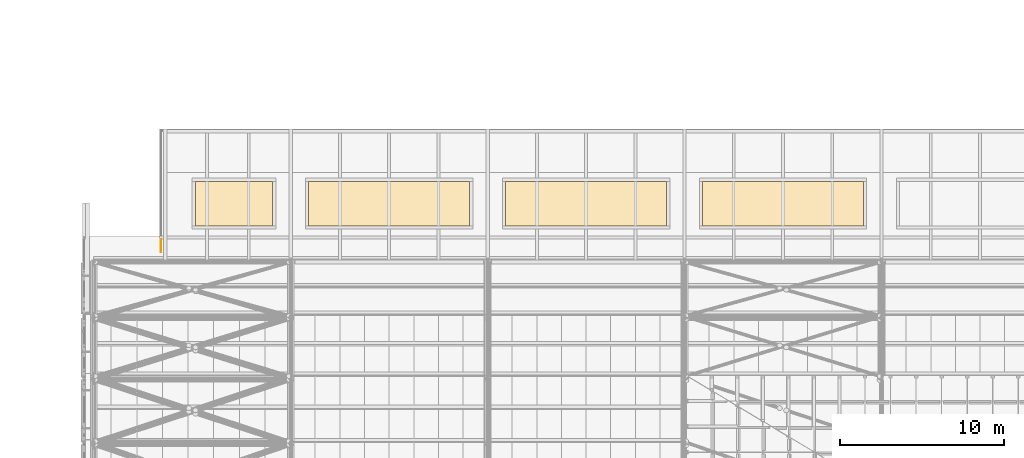
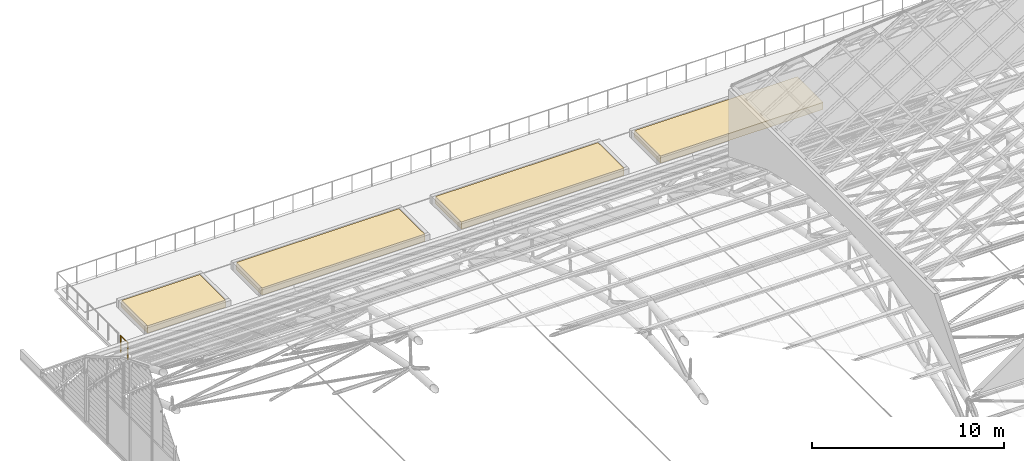
# One storey, part 105 of 110: 4 coverings, 1 railing.
"""IFC4 building model written with IfcOpenShell, lengths in metres."""

from ifc_helpers import new_model, si_unit, direction, frame, origin, origin_2d, place, context, subcontext, project, spatial, polyline, circle, outline, extrude, material, layer, layer_set, type_object, element, save


model = new_model("IFC4")

# Units and contexts
model_context = context("Model", 3, precision=1e-05, world=origin(), true_north=direction((0.0, 1.0)))
body_context = subcontext(model_context, "Body", "Model", "MODEL_VIEW")
ifc_project = project(units=[si_unit("LENGTHUNIT", "METRE"), si_unit("AREAUNIT", "SQUARE_METRE"), si_unit("VOLUMEUNIT", "CUBIC_METRE"), si_unit("PLANEANGLEUNIT", "RADIAN"), si_unit("MASSUNIT", "GRAM", prefix="KILO")], contexts=[model_context])

# Site, building, storey
site_placement = place(None, origin())
site = spatial("IfcSite", under=ifc_project, at=site_placement, CompositionType="ELEMENT")
building_placement = place(site_placement, origin())
building = spatial("IfcBuilding", under=site, at=building_placement, Name="Windward Yard Aquatics Centre", CompositionType="ELEMENT")
storey_placement = place(building_placement, frame((0.0, 0.0, 22.60009765625)))
storey = spatial("IfcBuildingStorey", under=building, at=storey_placement, Name="L05", CompositionType="ELEMENT", Elevation=22.60009765625)

# Coverings
ifc_material_1 = material(Name="Planting soil")
ifc_layer_1 = layer(ifc_material_1, 0.398, Name="Planting")
ifc_material_2 = material(Name="Filter fabric")
ifc_layer_2 = layer(ifc_material_2, 0.002, Name="Filter")
ifc_material_3 = material(Name="Drainage board")
ifc_layer_3 = layer(ifc_material_3, 0.05, Name="Drainage")
ifc_layer_set = layer_set([ifc_layer_1, ifc_layer_2, ifc_layer_3], Name="H planting bed 450")
covering_type = type_object("IfcCoveringType", Name="H planting bed 450", PredefinedType="USERDEFINED", material=ifc_layer_set)
covering_1_placement = place(storey_placement, origin())
element("IfcCovering", 1, at=covering_1_placement, inside=storey, type_object=covering_type, Name="Planting bed T2 N1", ObjectType="PLANTING BED", PredefinedType="USERDEFINED", context=body_context, shape_type="SweptSolid", body=[
    extrude(outline(polyline([(66.199951171875, 82.60009765625), (70.89990234375, 82.60009765625), (70.89990234375, 85.300048828125), (66.199951171875, 85.300048828125), (66.199951171875, 82.60009765625)])), origin(), (0.0, 0.0, 1.0), 0.449951171875),
])
covering_2_placement = place(storey_placement, origin())
element("IfcCovering", 2, at=covering_2_placement, inside=storey, type_object=covering_type, Name="Planting bed T2 N2", ObjectType="PLANTING BED", PredefinedType="USERDEFINED", context=body_context, shape_type="SweptSolid", body=[
    extrude(outline(polyline([(73.10009765625, 82.60009765625), (82.89990234375, 82.60009765625), (82.89990234375, 85.300048828125), (73.10009765625, 85.300048828125), (73.10009765625, 82.60009765625)])), origin(), (0.0, 0.0, 1.0), 0.449951171875),
])
covering_3_placement = place(storey_placement, origin())
element("IfcCovering", 3, at=covering_3_placement, inside=storey, type_object=covering_type, Name="Planting bed T2 N3", ObjectType="PLANTING BED", PredefinedType="USERDEFINED", context=body_context, shape_type="SweptSolid", body=[
    extrude(outline(polyline([(85.10009765625, 82.60009765625), (94.89990234375, 82.60009765625), (94.89990234375, 85.300048828125), (85.10009765625, 85.300048828125), (85.10009765625, 82.60009765625)])), origin(), (0.0, 0.0, 1.0), 0.449951171875),
])
covering_4_placement = place(storey_placement, origin())
element("IfcCovering", 4, at=covering_4_placement, inside=storey, type_object=covering_type, Name="Planting bed T2 N4", ObjectType="PLANTING BED", PredefinedType="USERDEFINED", context=body_context, shape_type="SweptSolid", body=[
    extrude(outline(polyline([(97.10009765625, 82.60009765625), (106.89990234375, 82.60009765625), (106.89990234375, 85.300048828125), (97.10009765625, 85.300048828125), (97.10009765625, 82.60009765625)])), origin(), (0.0, 0.0, 1.0), 0.449951171875),
])

# Railing
ifc_material_4 = material(Name="Stainless steel 1.4401 with toughened laminated glass infill", Category="steel")
railing_type = type_object("IfcRailingType", Name="H terrace guard 1100", PredefinedType="GUARDRAIL", material=ifc_material_4)
railing_placement = place(storey_placement, frame((64.10009765625, 81.771240234375, 0.0)))
element("IfcRailing", 5, at=railing_placement, inside=storey, type_object=railing_type, Name="Terrace 2 guard N west end", PredefinedType="GUARDRAIL", context=body_context, shape_type="SweptSolid", body=[
    extrude(circle(Radius=0.02392578125, at=origin_2d()), frame((0.0, 0.0, 1.076171875), z_axis=(0.0, -1.0, 0.0), x_axis=(1.0, 0.0, 0.0)), (0.0, 0.0, 1.0), 0.750244140625),
    extrude(circle(Radius=0.02099609375, at=origin_2d()), origin(), (0.0, 0.0, 1.0), 1.052001953125),
    extrude(circle(Radius=0.02099609375, at=origin_2d()), frame((0.0, -0.750244140625, 0.0)), (0.0, 0.0, 1.0), 1.052001953125),
])

save(model, "model.ifc")
